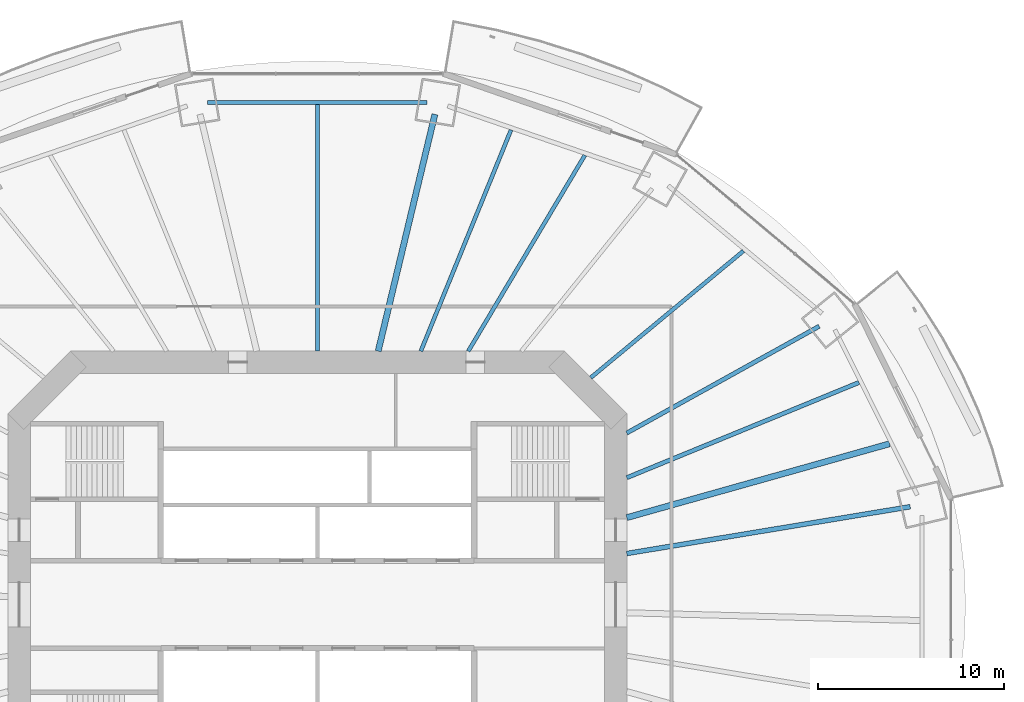
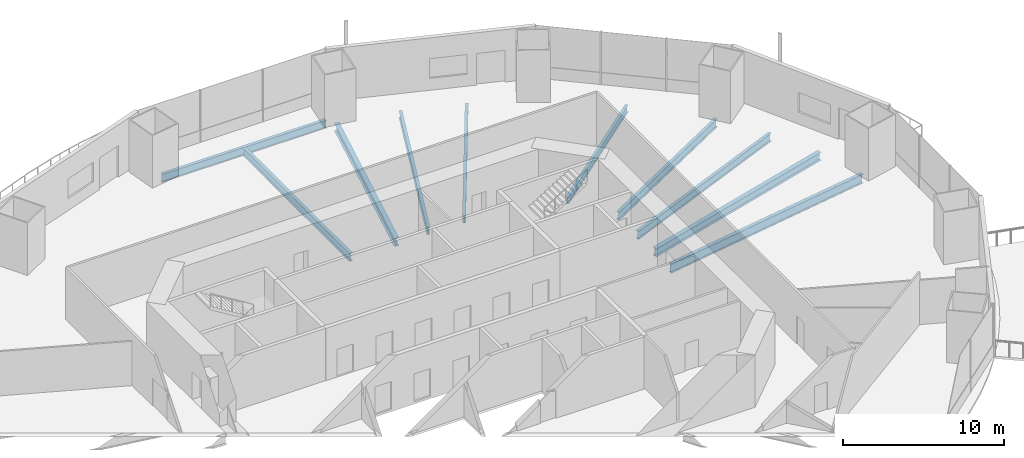
# One storey, part 8 of 22: 10 beams.
"""IFC4 building model written with IfcOpenShell, lengths in metres."""

from ifc_helpers import new_model, si_unit, direction, frame, origin, origin_2d, place, context, subcontext, project, spatial, i_section, extrude, material, material_profile, profile_set, type_object, element, save


model = new_model("IFC4")

# Units and contexts
model_context = context("Model", 3, precision=1e-05, world=origin(), true_north=direction((0.0, 1.0)))
body_context = subcontext(model_context, "Body", "Model", "MODEL_VIEW")
ifc_project = project(units=[si_unit("LENGTHUNIT", "METRE"), si_unit("AREAUNIT", "SQUARE_METRE"), si_unit("VOLUMEUNIT", "CUBIC_METRE"), si_unit("PLANEANGLEUNIT", "RADIAN"), si_unit("MASSUNIT", "GRAM", prefix="KILO")], contexts=[model_context])

# Site, building, storey
site_placement = place(None, origin())
site = spatial("IfcSite", under=ifc_project, at=site_placement, CompositionType="ELEMENT")
building_placement = place(site_placement, origin())
building = spatial("IfcBuilding", under=site, at=building_placement, Name="Marenthal Gate Tower", CompositionType="ELEMENT")
storey_placement = place(building_placement, frame((0.0, 0.0, 103.550048828125)))
storey = spatial("IfcBuildingStorey", under=building, at=storey_placement, Name="L21", CompositionType="ELEMENT", Elevation=103.550048828125)

# Beams
ifc_material_1 = material(Name="Steel S355", Category="steel")
ifc_material_profile_1 = material_profile(ifc_material_1, i_section(OverallWidth=0.2099609375, OverallDepth=0.535888671875, WebThickness=0.010986328125, FlangeThickness=0.017333984375, FilletRadius=0.0126953125, at=origin_2d()), Name="W530X101")
ifc_profile_set_1 = profile_set([ifc_material_profile_1], Name="Steel S355")
beam_type_1 = type_object("IfcBeamType", Name="W530X101 beam", PredefinedType="BEAM", material=ifc_profile_set_1)
beam_1_placement = place(storey_placement, frame((22.857666015625, 18.978759765625, -0.447998046875), z_axis=(-0.769368830907, -0.63880482311, 0.0), x_axis=(0.63880482311, -0.769368830907, 0.0)))
element("IfcBeam", 1, at=beam_1_placement, inside=storey, type_object=beam_type_1, Name="BM-L21-19", PredefinedType="BEAM", context=body_context, shape_type="SweptSolid", body=[
    extrude(i_section(OverallWidth=0.2099609375, OverallDepth=0.535888671875, WebThickness=0.010986328125, FlangeThickness=0.017333984375, FilletRadius=0.0126953125, at=origin_2d()), origin(), (0.0, 0.0, 1.0), 10.643310546875),
])
ifc_material_2 = material(Name="Steel S355", Category="steel")
ifc_material_profile_2 = material_profile(ifc_material_2, i_section(OverallWidth=0.2119140625, OverallDepth=0.5439453125, WebThickness=0.01318359375, FlangeThickness=0.021240234375, FilletRadius=0.0126953125, at=origin_2d()), Name="W530X123")
ifc_profile_set_2 = profile_set([ifc_material_profile_2], Name="Steel S355")
beam_type_2 = type_object("IfcBeamType", Name="W530X123 beam", PredefinedType="BEAM", material=ifc_profile_set_2)
beam_2_placement = place(storey_placement, frame((14.346923828125, 24.10986328125, -0.4521484375), z_axis=(-0.511368740727, -0.859361397206, 0.0), x_axis=(0.859361397206, -0.511368740727, 0.0)))
element("IfcBeam", 2, at=beam_2_placement, inside=storey, type_object=beam_type_2, Name="BM-L21-20", PredefinedType="BEAM", context=body_context, shape_type="SweptSolid", body=[
    extrude(i_section(OverallWidth=0.2119140625, OverallDepth=0.5439453125, WebThickness=0.01318359375, FlangeThickness=0.021240234375, FilletRadius=0.0126953125, at=origin_2d()), origin(), (0.0, 0.0, 1.0), 12.229736328125),
])
beam_3_placement = place(storey_placement, frame((10.3876953125, 25.4716796875, -0.4521484375), z_axis=(-0.377613822907, -0.925963174618, 0.0), x_axis=(0.925963174618, -0.377613822907, 0.0)))
element("IfcBeam", 3, at=beam_3_placement, inside=storey, type_object=beam_type_2, Name="BM-L21-21", PredefinedType="BEAM", context=body_context, shape_type="SweptSolid", body=[
    extrude(i_section(OverallWidth=0.2119140625, OverallDepth=0.5439453125, WebThickness=0.01318359375, FlangeThickness=0.021240234375, FilletRadius=0.0126953125, at=origin_2d()), origin(), (0.0, 0.0, 1.0), 12.82080078125),
])
ifc_material_3 = material(Name="Steel S355", Category="steel")
ifc_material_profile_3 = material_profile(ifc_material_3, i_section(OverallWidth=0.22900390625, OverallDepth=0.612060546875, WebThickness=0.011962890625, FlangeThickness=0.01953125, FilletRadius=0.0126953125, at=origin_2d()), Name="W610X125")
ifc_profile_set_3 = profile_set([ifc_material_profile_3], Name="Steel S355")
beam_type_3 = type_object("IfcBeamType", Name="W610X125 beam", PredefinedType="BEAM", material=ifc_profile_set_3)
beam_4_placement = place(storey_placement, frame((26.928466796875, 14.939697265625, -0.486083984375), z_axis=(-0.874435979354, -0.485140925929, 0.0), x_axis=(0.485140925929, -0.874435979354, 0.0)))
element("IfcBeam", 4, at=beam_4_placement, inside=storey, type_object=beam_type_3, Name="BM-L21-02", PredefinedType="BEAM", context=body_context, shape_type="SweptSolid", body=[
    extrude(i_section(OverallWidth=0.22900390625, OverallDepth=0.612060546875, WebThickness=0.011962890625, FlangeThickness=0.01953125, FilletRadius=0.0126953125, at=origin_2d()), origin(), (0.0, 0.0, 1.0), 11.8115234375),
])
beam_5_placement = place(storey_placement, frame((29.060302734375, 11.921630859375, -0.486083984375), z_axis=(-0.925176615925, -0.379536861642, 0.0), x_axis=(0.379536861642, -0.925176615925, 0.0)))
element("IfcBeam", 5, at=beam_5_placement, inside=storey, type_object=beam_type_3, Name="BM-L21-18", PredefinedType="BEAM", context=body_context, shape_type="SweptSolid", body=[
    extrude(i_section(OverallWidth=0.22900390625, OverallDepth=0.612060546875, WebThickness=0.011962890625, FlangeThickness=0.01953125, FilletRadius=0.0126953125, at=origin_2d()), origin(), (0.0, 0.0, 1.0), 13.468017578125),
])
beam_6_placement = place(storey_placement, frame((0.0, 26.83056640625, -0.486083984375), z_axis=(0.0, -1.0, 0.0), x_axis=(1.0, 0.0, 0.0)))
element("IfcBeam", 6, at=beam_6_placement, inside=storey, type_object=beam_type_3, Name="BM-L21-22", PredefinedType="BEAM", context=body_context, shape_type="SweptSolid", body=[
    extrude(i_section(OverallWidth=0.22900390625, OverallDepth=0.612060546875, WebThickness=0.011962890625, FlangeThickness=0.01953125, FilletRadius=0.0126953125, at=origin_2d()), origin(), (0.0, 0.0, 1.0), 13.23046875),
])
beam_7_placement = place(storey_placement, frame((5.890869140625, 26.945068359375, -0.486083984375), z_axis=(-1.0, 0.0, 0.0), x_axis=(0.0, -1.0, 0.0)))
element("IfcBeam", 7, at=beam_7_placement, inside=storey, type_object=beam_type_3, Name="BM-L21-44", PredefinedType="BEAM", context=body_context, shape_type="SweptSolid", body=[
    extrude(i_section(OverallWidth=0.22900390625, OverallDepth=0.612060546875, WebThickness=0.011962890625, FlangeThickness=0.01953125, FilletRadius=0.0126953125, at=origin_2d()), origin(), (0.0, 0.0, 1.0), 11.78173828125),
])
ifc_material_4 = material(Name="Steel S355", Category="steel")
ifc_material_profile_4 = material_profile(ifc_material_4, i_section(OverallWidth=0.324951171875, OverallDepth=0.612060546875, WebThickness=0.0126953125, FlangeThickness=0.01904296875, FilletRadius=0.0126953125, at=origin_2d()), Name="W610X155")
ifc_profile_set_4 = profile_set([ifc_material_profile_4], Name="Steel S355")
beam_type_4 = type_object("IfcBeamType", Name="W610X155 beam", PredefinedType="BEAM", material=ifc_profile_set_4)
beam_8_placement = place(storey_placement, frame((6.302978515625, 26.31005859375, -0.486083984375), z_axis=(-0.232977289633, -0.972482175937, 0.0), x_axis=(0.972482175937, -0.232977289633, 0.0)))
element("IfcBeam", 8, at=beam_8_placement, inside=storey, type_object=beam_type_4, Name="BM-L21-04", PredefinedType="BEAM", context=body_context, shape_type="SweptSolid", body=[
    extrude(i_section(OverallWidth=0.324951171875, OverallDepth=0.612060546875, WebThickness=0.0126953125, FlangeThickness=0.01904296875, FilletRadius=0.0126953125, at=origin_2d()), origin(), (0.0, 0.0, 1.0), 13.069580078125),
])
beam_9_placement = place(storey_placement, frame((30.701416015625, 8.631591796875, -0.486083984375), z_axis=(-0.962675778396, -0.270657247621, 0.0), x_axis=(0.270657247621, -0.962675778396, 0.0)))
element("IfcBeam", 9, at=beam_9_placement, inside=storey, type_object=beam_type_4, Name="BM-L21-17", PredefinedType="BEAM", context=body_context, shape_type="SweptSolid", body=[
    extrude(i_section(OverallWidth=0.324951171875, OverallDepth=0.612060546875, WebThickness=0.0126953125, FlangeThickness=0.01904296875, FilletRadius=0.0126953125, at=origin_2d()), origin(), (0.0, 0.0, 1.0), 14.64794921875),
])
ifc_material_5 = material(Name="Steel S355", Category="steel")
ifc_material_profile_5 = material_profile(ifc_material_5, i_section(OverallWidth=0.257080078125, OverallDepth=0.693115234375, WebThickness=0.014404296875, FlangeThickness=0.023681640625, FilletRadius=0.015380859375, at=origin_2d()), Name="W690X170")
ifc_profile_set_5 = profile_set([ifc_material_profile_5], Name="Steel S355")
beam_type_5 = type_object("IfcBeamType", Name="W690X170 beam", PredefinedType="BEAM", material=ifc_profile_set_5)
beam_10_placement = place(storey_placement, frame((31.80810546875, 5.25341796875, -0.526611328125), z_axis=(-0.986634295721, -0.162950196404, 0.0), x_axis=(0.162950196404, -0.986634295721, 0.0)))
element("IfcBeam", 10, at=beam_10_placement, inside=storey, type_object=beam_type_5, Name="BM-L21-01", PredefinedType="BEAM", context=body_context, shape_type="SweptSolid", body=[
    extrude(i_section(OverallWidth=0.257080078125, OverallDepth=0.693115234375, WebThickness=0.014404296875, FlangeThickness=0.023681640625, FilletRadius=0.015380859375, at=origin_2d()), origin(), (0.0, 0.0, 1.0), 15.4140625),
])

save(model, "model.ifc")
